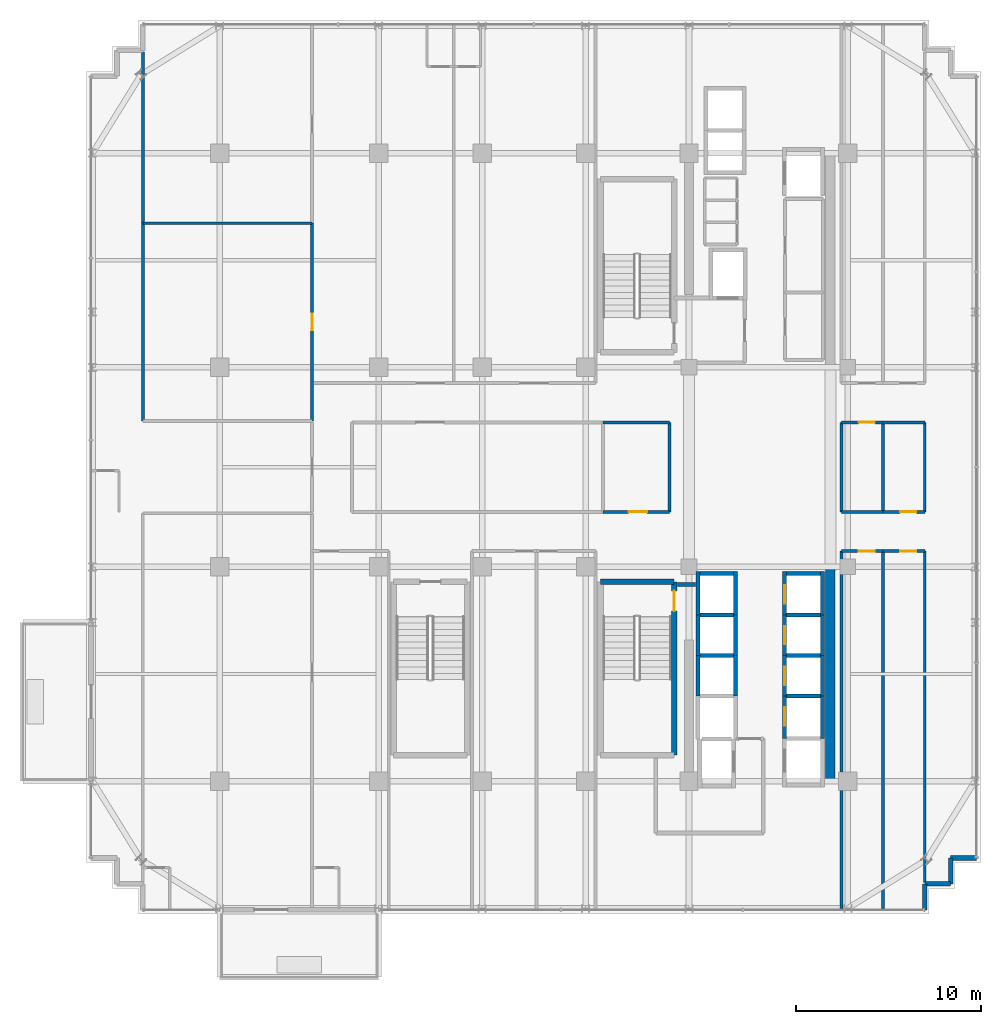
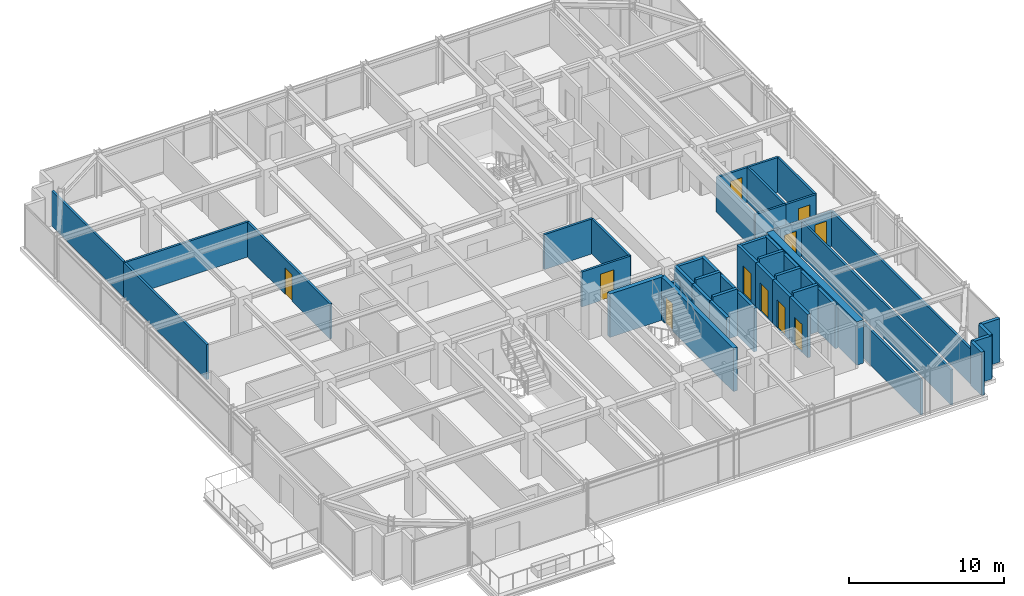
# One storey, part 30 of 35: 48 walls, 11 doors, 11 openings.
"""IFC4 building model written with IfcOpenShell, lengths in metres."""

import ifcopenshell
import ifcopenshell.guid

model = None  # the IFC model being written
_history = None  # IfcOwnerHistory: only IFC2X3 demands one
_inside = {}  # id of a spatial element -> (the spatial element, [elements in it])
_under = {}  # id of a project, library or spatial element -> (it, [spatial elements below it])
_declared = {}  # id of a project -> (the project, [libraries it declares])
_typed = {}  # id of a type object -> (the type object, [elements of that type])
_made_of = {}  # id of a material, layer set ... -> (it, [elements and type objects made of it])


def new_model(schema):
    """Start an empty IFC model of exactly this schema.

    Asked for "IFC4X3", IfcOpenShell would pick the latest addendum, in which some entities
    have other attributes; the version numbers below select the first issue.
    IFC2X3 requires an IfcOwnerHistory on every rooted entity: one is made here for all.
    """
    global model, _history
    if schema == "IFC4X3":
        model = ifcopenshell.file(schema_version=(4, 3, 0, 0))
    else:
        model = ifcopenshell.file(schema=schema)
    _inside.clear()
    _under.clear()
    _declared.clear()
    _typed.clear()
    _made_of.clear()
    _history = None
    if model.schema == "IFC2X3":
        org = make("IfcOrganization", Name="unknown")
        user = make(
            "IfcPersonAndOrganization",
            ThePerson=make("IfcPerson", FamilyName="unknown"),
            TheOrganization=org,
        )
        app = make(
            "IfcApplication",
            ApplicationDeveloper=org,
            Version="unknown",
            ApplicationFullName="unknown",
            ApplicationIdentifier="unknown",
        )
        _history = make(
            "IfcOwnerHistory",
            OwningUser=user,
            OwningApplication=app,
            ChangeAction="ADDED",
            CreationDate=0,
        )
    return model


def make(cls, **values):
    """One entity of the class cls with the attributes given. An attribute that is None is left unset."""
    return model.create_entity(
        cls, **{name: value for name, value in values.items() if value is not None}
    )


def rooted(cls, **values):
    """An entity with a GlobalId (a new one), such as an element, a storey or a relation."""
    return make(cls, GlobalId=ifcopenshell.guid.new(), OwnerHistory=_history, **values)


def si_unit(unit_type, name, prefix=None):
    """IfcSIUnit, for example si_unit("LENGTHUNIT", "METRE", prefix="MILLI")."""
    return make("IfcSIUnit", UnitType=unit_type, Prefix=prefix, Name=name)


def assignment(units):
    """IfcUnitAssignment: the units of a project."""
    return None if units is None else make("IfcUnitAssignment", Units=units)


def point(xyz):
    """IfcCartesianPoint."""
    return None if xyz is None else make("IfcCartesianPoint", Coordinates=xyz)


def direction(xyz):
    """IfcDirection."""
    return None if xyz is None else make("IfcDirection", DirectionRatios=xyz)


def frame(location, z_axis=None, x_axis=None):
    """IfcAxis2Placement3D, a coordinate frame: its origin and axes. An axis left out is left unset."""
    return make(
        "IfcAxis2Placement3D",
        Location=point(location),
        Axis=direction(z_axis),
        RefDirection=direction(x_axis),
    )


def frame_2d(location, x_axis=None):
    """IfcAxis2Placement2D, a coordinate frame in the plane: its origin and x axis."""
    return make(
        "IfcAxis2Placement2D", Location=point(location), RefDirection=direction(x_axis)
    )


def origin():
    """The frame at (0, 0, 0) with its axes left unset."""
    return frame((0.0, 0.0, 0.0))


def place(relative_to, where):
    """IfcLocalPlacement: puts the frame where relative to a parent placement (None: the world)."""
    return make(
        "IfcLocalPlacement", PlacementRelTo=relative_to, RelativePlacement=where
    )


def context(
    kind, dimensions, precision=None, world=None, true_north=None, identifier=None
):
    """IfcGeometricRepresentationContext, for example the 3D "Model" context."""
    return make(
        "IfcGeometricRepresentationContext",
        ContextIdentifier=identifier,
        ContextType=kind,
        CoordinateSpaceDimension=dimensions,
        Precision=precision,
        WorldCoordinateSystem=world,
        TrueNorth=true_north,
    )


def subcontext(parent, identifier, kind, view, scale=None):
    """IfcGeometricRepresentationSubContext, for example "Body" below "Model"."""
    return make(
        "IfcGeometricRepresentationSubContext",
        ContextIdentifier=identifier,
        ContextType=kind,
        ParentContext=parent,
        TargetScale=scale,
        TargetView=view,
    )


def project(units=None, contexts=None):
    """IfcProject with its units and contexts."""
    return rooted(
        "IfcProject",
        Name="project",
        RepresentationContexts=contexts,
        UnitsInContext=assignment(units),
    )


def spatial(cls, under=None, at=None, **own):
    """A site, building, storey or space (cls), placed at a placement, below another one or the project."""
    s = rooted(cls, ObjectPlacement=at, **own)
    if under is not None:
        _under.setdefault(under.id(), (under, []))[1].append(s)
    return s


def profile(cls, at=None, kind="AREA", **sizes):
    """A parametric profile (cls). Its sizes go by their IFC names, for example OverallWidth=200.0."""
    return make(cls, ProfileType=kind, Position=at, **sizes)


def rectangle(**sizes):
    """IfcRectangleProfileDef."""
    return profile("IfcRectangleProfileDef", **sizes)


def extrude(swept, where, along, depth):
    """IfcExtrudedAreaSolid: the profile swept, set in the frame where, extruded along a direction by depth."""
    return make(
        "IfcExtrudedAreaSolid",
        SweptArea=swept,
        Position=where,
        ExtrudedDirection=direction(along),
        Depth=depth,
    )


def shape(context_of_items, identifier, shape_type, items):
    """IfcShapeRepresentation: the items that make up one representation, for example the "Body"."""
    return make(
        "IfcShapeRepresentation",
        ContextOfItems=context_of_items,
        RepresentationIdentifier=identifier,
        RepresentationType=shape_type,
        Items=items,
    )


def source(mapping_origin, context_of_items, identifier, shape_type, items):
    """IfcRepresentationMap: a shape defined once, which mapped items show again and again."""
    return make(
        "IfcRepresentationMap",
        MappingOrigin=mapping_origin,
        MappedRepresentation=shape(context_of_items, identifier, shape_type, items),
    )


def transform(
    local_origin,
    x_axis=None,
    y_axis=None,
    z_axis=None,
    scale=None,
    scale2=None,
    scale3=None,
    uniform=True,
):
    """IfcCartesianTransformationOperator3D, or its non-uniform kind. x_axis, y_axis, z_axis: its Axis1, 2, 3."""
    if uniform:
        return make(
            "IfcCartesianTransformationOperator3D",
            Axis1=direction(x_axis),
            Axis2=direction(y_axis),
            LocalOrigin=point(local_origin),
            Scale=scale,
            Axis3=direction(z_axis),
        )
    return make(
        "IfcCartesianTransformationOperator3DnonUniform",
        Axis1=direction(x_axis),
        Axis2=direction(y_axis),
        LocalOrigin=point(local_origin),
        Scale=scale,
        Axis3=direction(z_axis),
        Scale2=scale2,
        Scale3=scale3,
    )


def mapped(mapping_source, mapping_target):
    """IfcMappedItem: shows the shape of a source again, moved by a transform."""
    return make(
        "IfcMappedItem", MappingSource=mapping_source, MappingTarget=mapping_target
    )


def material(Name=None, Category=None):
    """IfcMaterial."""
    return make("IfcMaterial", Name=Name, Category=Category)


def layer(
    of_material, thickness, ventilated=None, Name=None, Category=None, Priority=None
):
    """IfcMaterialLayer: one layer of a wall or slab, of a material (None: an air gap)."""
    return make(
        "IfcMaterialLayer",
        Material=of_material,
        LayerThickness=thickness,
        IsVentilated=ventilated,
        Name=Name,
        Category=Category,
        Priority=Priority,
    )


def layer_set(layers, Name=None):
    """IfcMaterialLayerSet."""
    return make("IfcMaterialLayerSet", MaterialLayers=layers, LayerSetName=Name)


def made_of(thing, what):
    """Note that an element or type object is made of a material, layer set ...; save() writes the relation."""
    if what is not None:
        _made_of.setdefault(what.id(), (what, []))[1].append(thing)
    return thing


def type_object(cls, material=None, **own):
    """A type object (cls), such as IfcWallType, which elements share."""
    return made_of(rooted(cls, **own), material)


def element(
    cls,
    number,
    at=None,
    inside=None,
    cuts=None,
    type_object=None,
    material=None,
    context=None,
    identifier="Body",
    shape_type=None,
    held_by="IfcProductDefinitionShape",
    body=None,
    shapes=None,
    **own,
):
    """One element of the class cls, such as IfcWall. Its Tag is "e" and its number.

    at: its placement. inside: the storey or other place that contains it. cuts: it is an
    opening in that element (IfcRelVoidsElement). A single representation is given by context,
    identifier, shape_type and body (its items); several are given by shapes. held_by: the class
    of the entity that holds the representations. save() writes the other relations.
    """
    e = rooted(cls, Tag="e%d" % number, ObjectPlacement=at, **own)
    if body is not None:
        shapes = [shape(context, identifier, shape_type, body)]
    if shapes is not None:
        e.Representation = make(held_by, Representations=shapes)
    if inside is not None:
        _inside.setdefault(inside.id(), (inside, []))[1].append(e)
    if cuts is not None:
        rooted(
            "IfcRelVoidsElement", RelatingBuildingElement=cuts, RelatedOpeningElement=e
        )
    if type_object is not None:
        _typed.setdefault(type_object.id(), (type_object, []))[1].append(e)
    return made_of(e, material)


def fill(opening, filler):
    """IfcRelFillsElement: the door or window that sits in an opening."""
    return rooted(
        "IfcRelFillsElement",
        RelatingOpeningElement=opening,
        RelatedBuildingElement=filler,
    )


def aggregate(whole, parts):
    """IfcRelAggregates: a whole, such as a stair, and the parts it consists of."""
    return rooted("IfcRelAggregates", RelatingObject=whole, RelatedObjects=parts)


def save(model, path):
    """Write the relations noted so far, then the file.

    IfcRelAggregates (storeys below a building ...), IfcRelContainedInSpatialStructure (elements
    in a storey), IfcRelDefinesByType, IfcRelAssociatesMaterial and IfcRelDeclares: one each for
    every whole, place, type object, material and project.
    """
    for whole, parts in _under.values():
        aggregate(whole, parts)
    for where, things in _inside.values():
        rooted(
            "IfcRelContainedInSpatialStructure",
            RelatedElements=things,
            RelatingStructure=where,
        )
    for kind, things in _typed.values():
        rooted("IfcRelDefinesByType", RelatedObjects=things, RelatingType=kind)
    for what, things in _made_of.values():
        rooted("IfcRelAssociatesMaterial", RelatedObjects=things, RelatingMaterial=what)
    for by, libraries in _declared.values():
        rooted("IfcRelDeclares", RelatingContext=by, RelatedDefinitions=libraries)
    model.write(path)


model = new_model("IFC4")

# Units and contexts
model_context = context("Model", 3, precision=1e-05, world=origin(), true_north=direction((0.0, 1.0)))
body_context = subcontext(model_context, "Body", "Model", "MODEL_VIEW")
ifc_project = project(units=[si_unit("LENGTHUNIT", "METRE"), si_unit("AREAUNIT", "SQUARE_METRE"), si_unit("VOLUMEUNIT", "CUBIC_METRE"), si_unit("PLANEANGLEUNIT", "RADIAN"), si_unit("MASSUNIT", "GRAM", prefix="KILO")], contexts=[model_context])

# Site, building, storey
site_placement = place(None, origin())
site = spatial("IfcSite", under=ifc_project, at=site_placement, CompositionType="ELEMENT")
building_placement = place(site_placement, origin())
building = spatial("IfcBuilding", under=site, at=building_placement, Name="Nahalor Promenade Grand Hotel", CompositionType="ELEMENT")
storey_placement = place(building_placement, frame((0.0, 0.0, 245.60009765625)))
storey = spatial("IfcBuildingStorey", under=building, at=storey_placement, Name="L63", CompositionType="ELEMENT", Elevation=245.60009765625)

# Walls
ifc_material_1 = material(Name="Concrete B-60 (C50/60)", Category="concrete")
ifc_layer_1 = layer(ifc_material_1, 0.5)
ifc_layer_set_1 = layer_set([ifc_layer_1], Name="Concrete B-60 (C50/60)")
wall_type_1 = type_object("IfcWallType", Name="Wall-CoreShear-500", PredefinedType="SHEAR", material=ifc_layer_set_1)
shared_shape_1 = source(origin(), body_context, "Body", "SweptSolid", [
    extrude(rectangle(XDim=11.60009765625, YDim=0.5, at=frame_2d((5.800048828125, 0.0))), origin(), (0.0, 0.0, 1.0), 3.409912109375),
])
wall_1_placement = place(storey_placement, frame((16.050048828125, -17.0, 0.0), z_axis=(0.0, 0.0, 1.0), x_axis=(0.0, 1.0, 0.0)))
element("IfcWall", 1, at=wall_1_placement, inside=storey, type_object=wall_type_1, Name="CWALL-L63-SE", PredefinedType="SHEAR", context=body_context, shape_type="MappedRepresentation", body=[
    mapped(shared_shape_1, transform((0.0, 0.0, 0.0), scale=1.0)),
])
ifc_material_2 = material(Name="Concrete B-50 (C40/50)", Category="concrete")
ifc_layer_2 = layer(ifc_material_2, 0.300048828125)
ifc_layer_set_2 = layer_set([ifc_layer_2], Name="Concrete B-50 (C40/50)")
wall_type_2 = type_object("IfcWallType", Name="Wall-ShaftShear-300", PredefinedType="SHEAR", material=ifc_layer_set_2)
shared_shape_2 = source(origin(), body_context, "Body", "SweptSolid", [
    extrude(rectangle(XDim=3.97998046875, YDim=0.300048828125, at=frame_2d((1.989990234375, 0.0))), origin(), (0.0, 0.0, 1.0), 3.409912109375),
])
wall_2_placement = place(storey_placement, frame((3.610107421875, -6.2099609375, 0.0), z_axis=(0.0, 0.0, 1.0), x_axis=(1.0, 0.0, 0.0)))
element("IfcWall", 2, at=wall_2_placement, inside=storey, type_object=wall_type_2, Name="L63 Exit Stair ST2 Shaft Wall N", PredefinedType="SHEAR", context=body_context, shape_type="MappedRepresentation", body=[
    mapped(shared_shape_2, transform((0.0, 0.0, 0.0), scale=1.0)),
])

# Wall, opening, door
shared_shape_3 = source(origin(), body_context, "Body", "SweptSolid", [
    extrude(rectangle(XDim=9.380126953125, YDim=0.300048828125, at=frame_2d((4.68994140625, 0.0))), origin(), (0.0, 0.0, 1.0), 3.409912109375),
])
wall_3_placement = place(storey_placement, frame((7.590087890625, -15.590087890625, 0.0), z_axis=(0.0, 0.0, 1.0), x_axis=(0.0, 1.0, 0.0)))
wall_3 = element("IfcWall", 3, at=wall_3_placement, inside=storey, type_object=wall_type_2, Name="L63 Exit Stair ST2 Shaft Wall E", PredefinedType="SHEAR", context=body_context, shape_type="MappedRepresentation", body=[
    mapped(shared_shape_3, transform((0.0, 0.0, 0.0), scale=1.0)),
])
opening_1_placement = place(wall_3_placement, frame((7.7900390625, 0.0, 0.0)))
opening_1 = element("IfcOpeningElement", 4, at=opening_1_placement, cuts=wall_3, Name="Opening D-ST1", PredefinedType="OPENING", context=body_context, shape_type="SweptSolid", body=[
    extrude(rectangle(XDim=1.10009765625, YDim=2.14990234375, at=frame_2d((0.550048828125, 1.074951171875))), frame((0.0, 0.159912109375, 0.0), z_axis=(0.0, -1.0, 0.0), x_axis=(1.0, 0.0, 0.0)), (0.0, 0.0, 1.0), 0.320068359375),
])
ifc_material_3 = material(Name="Steel S355JR", Category="steel")
door_type_1 = type_object("IfcDoorType", Name="Door-StairFire-1100", OperationType="NOTDEFINED", PredefinedType="DOOR", material=ifc_material_3)
shared_shape_4 = source(origin(), body_context, "Body", "SweptSolid", [
    extrude(rectangle(XDim=1.10009765625, YDim=2.14990234375, at=frame_2d((0.550048828125, 1.074951171875))), frame((0.0, 0.02490234375, 0.0), z_axis=(0.0, -1.0, 0.0), x_axis=(1.0, 0.0, 0.0)), (0.0, 0.0, 1.0), 0.050048828125),
])
door_1_placement = place(opening_1_placement, origin())
door_1 = element("IfcDoor", 5, at=door_1_placement, inside=storey, type_object=door_type_1, Name="DR-STAIR-ST2-L63", OperationType="SINGLE_SWING_RIGHT", OverallHeight=2.14990234375, OverallWidth=1.10009765625, PredefinedType="DOOR", context=body_context, shape_type="MappedRepresentation", body=[
    mapped(shared_shape_4, transform((0.0, 0.0, 0.0), scale=1.0)),
])
fill(opening_1, door_1)

ifc_layer_3 = layer(ifc_material_2, 0.219970703125)
ifc_layer_set_3 = layer_set([ifc_layer_3], Name="Concrete B-50 (C40/50)")
wall_type_3 = type_object("IfcWallType", Name="Wall-LiftShaft-220", PredefinedType="SHEAR", material=ifc_layer_set_3)
shared_shape_5 = source(origin(), body_context, "Body", "SweptSolid", [
    extrude(rectangle(XDim=2.360107421875, YDim=0.219970703125, at=frame_2d((1.18017578125, 0.0))), origin(), (0.0, 0.0, 1.0), 3.409912109375),
])
wall_4_placement = place(storey_placement, frame((13.580078125, -8.0, 0.0), z_axis=(0.0, 0.0, 1.0), x_axis=(0.0, 1.0, 0.0)))
wall_4 = element("IfcWall", 6, at=wall_4_placement, inside=storey, type_object=wall_type_3, Name="L63 Lift PL5 Hoistway Wall W", PredefinedType="SHEAR", context=body_context, shape_type="MappedRepresentation", body=[
    mapped(shared_shape_5, transform((0.0, 0.0, 0.0), scale=1.0)),
])
opening_2_placement = place(wall_4_placement, frame((0.60009765625, 0.0, 0.0)))
opening_2 = element("IfcOpeningElement", 7, at=opening_2_placement, cuts=wall_4, Name="Opening LD-01", PredefinedType="OPENING", context=body_context, shape_type="SweptSolid", body=[
    extrude(rectangle(XDim=1.0, YDim=2.199951171875, at=frame_2d((0.5, 1.10009765625))), frame((0.0, 0.119873046875, 0.0), z_axis=(0.0, -1.0, 0.0), x_axis=(1.0, 0.0, 0.0)), (0.0, 0.0, 1.0), 0.239990234375),
])
door_type_2 = type_object("IfcDoorType", Name="Door-LiftLanding-1000", OperationType="DOUBLE_DOOR_SLIDING", PredefinedType="DOOR", material=ifc_material_3)
shared_shape_6 = source(origin(), body_context, "Body", "SweptSolid", [
    extrude(rectangle(XDim=1.0, YDim=2.199951171875, at=frame_2d((0.5, 1.10009765625))), frame((0.0, 0.02490234375, 0.0), z_axis=(0.0, -1.0, 0.0), x_axis=(1.0, 0.0, 0.0)), (0.0, 0.0, 1.0), 0.050048828125),
])
door_2_placement = place(opening_2_placement, origin())
door_2 = element("IfcDoor", 8, at=door_2_placement, inside=storey, type_object=door_type_2, Name="DR-LIFT-PL5-L63", OperationType="DOUBLE_DOOR_SLIDING", OverallHeight=2.199951171875, OverallWidth=1.0, PredefinedType="DOOR", context=body_context, shape_type="MappedRepresentation", body=[
    mapped(shared_shape_6, transform((0.0, 0.0, 0.0), scale=1.0)),
])
fill(opening_2, door_2)

# Walls
for number, where, z_axis, x_axis, name in (
    (9, (15.6201171875, -8.0, 0.0), (0.0, 0.0, 1.0), (0.0, 1.0, 0.0), "L63 Lift PL5 Hoistway Wall E"),
    (10, (8.8798828125, -8.0, 0.0), (0.0, 0.0, 1.0), (0.0, 1.0, 0.0), "L63 Lift PL9 Hoistway Wall W"),
    (11, (10.919921875, -8.0, 0.0), (0.0, 0.0, 1.0), (0.0, 1.0, 0.0), "L63 Lift PL9 Hoistway Wall E"),
):
    element("IfcWall", number, at=place(storey_placement, frame(where, z_axis=z_axis, x_axis=x_axis)), inside=storey, type_object=wall_type_3, Name=name, PredefinedType="SHEAR", context=body_context, shape_type="MappedRepresentation", body=[
        mapped(shared_shape_5, transform((0.0, 0.0, 0.0), scale=1.0)),
    ])
shared_shape_7 = source(origin(), body_context, "Body", "SweptSolid", [
    extrude(rectangle(XDim=1.820068359375, YDim=0.219970703125, at=frame_2d((0.91015625, 0.0))), origin(), (0.0, 0.0, 1.0), 3.409912109375),
])
for number, where, z_axis, x_axis, name in (
    (12, (13.68994140625, -5.75, 0.0), (0.0, 0.0, 1.0), (1.0, 0.0, 0.0), "L63 Lift PL5 Hoistway Wall N"),
    (13, (8.989990234375, -5.75, 0.0), (0.0, 0.0, 1.0), (1.0, 0.0, 0.0), "L63 Lift PL9 Hoistway Wall N"),
):
    element("IfcWall", number, at=place(storey_placement, frame(where, z_axis=z_axis, x_axis=x_axis)), inside=storey, type_object=wall_type_3, Name=name, PredefinedType="SHEAR", context=body_context, shape_type="MappedRepresentation", body=[
        mapped(shared_shape_7, transform((0.0, 0.0, 0.0), scale=1.0)),
    ])

# Wall, opening, door
shared_shape_8 = source(origin(), body_context, "Body", "SweptSolid", [
    extrude(rectangle(XDim=2.199951171875, YDim=0.219970703125, at=frame_2d((1.10009765625, 0.0))), origin(), (0.0, 0.0, 1.0), 3.409912109375),
])
wall_5_placement = place(storey_placement, frame((13.580078125, -10.199951171875, 0.0), z_axis=(0.0, 0.0, 1.0), x_axis=(0.0, 1.0, 0.0)))
wall_5 = element("IfcWall", 14, at=wall_5_placement, inside=storey, type_object=wall_type_3, Name="L63 Lift PL6 Hoistway Wall W", PredefinedType="SHEAR", context=body_context, shape_type="MappedRepresentation", body=[
    mapped(shared_shape_8, transform((0.0, 0.0, 0.0), scale=1.0)),
])
opening_3_placement = place(wall_5_placement, frame((0.60009765625, 0.0, 0.0)))
opening_3 = element("IfcOpeningElement", 15, at=opening_3_placement, cuts=wall_5, Name="Opening LD-01", PredefinedType="OPENING", context=body_context, shape_type="SweptSolid", body=[
    extrude(rectangle(XDim=1.0, YDim=2.199951171875, at=frame_2d((0.5, 1.10009765625))), frame((0.0, 0.119873046875, 0.0), z_axis=(0.0, -1.0, 0.0), x_axis=(1.0, 0.0, 0.0)), (0.0, 0.0, 1.0), 0.239990234375),
])
door_3_placement = place(opening_3_placement, origin())
door_3 = element("IfcDoor", 16, at=door_3_placement, inside=storey, type_object=door_type_2, Name="DR-LIFT-PL6-L63", OperationType="DOUBLE_DOOR_SLIDING", OverallHeight=2.199951171875, OverallWidth=1.0, PredefinedType="DOOR", context=body_context, shape_type="MappedRepresentation", body=[
    mapped(shared_shape_6, transform((0.0, 0.0, 0.0), scale=1.0)),
])
fill(opening_3, door_3)

# Wall
wall_6_placement = place(storey_placement, frame((15.6201171875, -10.199951171875, 0.0), z_axis=(0.0, 0.0, 1.0), x_axis=(0.0, 1.0, 0.0)))
element("IfcWall", 17, at=wall_6_placement, inside=storey, type_object=wall_type_3, Name="L63 Lift PL6 Hoistway Wall E", PredefinedType="SHEAR", context=body_context, shape_type="MappedRepresentation", body=[
    mapped(shared_shape_8, transform((0.0, 0.0, 0.0), scale=1.0)),
])

# Wall, opening, door
wall_7_placement = place(storey_placement, frame((13.580078125, -12.39990234375, 0.0), z_axis=(0.0, 0.0, 1.0), x_axis=(0.0, 1.0, 0.0)))
wall_7 = element("IfcWall", 18, at=wall_7_placement, inside=storey, type_object=wall_type_3, Name="L63 Lift PL7 Hoistway Wall W", PredefinedType="SHEAR", context=body_context, shape_type="MappedRepresentation", body=[
    mapped(shared_shape_8, transform((0.0, 0.0, 0.0), scale=1.0)),
])
opening_4_placement = place(wall_7_placement, frame((0.60009765625, 0.0, 0.0)))
opening_4 = element("IfcOpeningElement", 19, at=opening_4_placement, cuts=wall_7, Name="Opening LD-01", PredefinedType="OPENING", context=body_context, shape_type="SweptSolid", body=[
    extrude(rectangle(XDim=1.0, YDim=2.199951171875, at=frame_2d((0.5, 1.10009765625))), frame((0.0, 0.119873046875, 0.0), z_axis=(0.0, -1.0, 0.0), x_axis=(1.0, 0.0, 0.0)), (0.0, 0.0, 1.0), 0.239990234375),
])
door_4_placement = place(opening_4_placement, origin())
door_4 = element("IfcDoor", 20, at=door_4_placement, inside=storey, type_object=door_type_2, Name="DR-LIFT-PL7-L63", OperationType="DOUBLE_DOOR_SLIDING", OverallHeight=2.199951171875, OverallWidth=1.0, PredefinedType="DOOR", context=body_context, shape_type="MappedRepresentation", body=[
    mapped(shared_shape_6, transform((0.0, 0.0, 0.0), scale=1.0)),
])
fill(opening_4, door_4)

# Walls
for number, where, z_axis, x_axis, name in (
    (21, (15.6201171875, -12.39990234375, 0.0), (0.0, 0.0, 1.0), (0.0, 1.0, 0.0), "L63 Lift PL7 Hoistway Wall E"),
    (22, (8.8798828125, -10.199951171875, 0.0), (0.0, 0.0, 1.0), (0.0, 1.0, 0.0), "L63 Lift PL10 Hoistway Wall W"),
    (23, (10.919921875, -10.199951171875, 0.0), (0.0, 0.0, 1.0), (0.0, 1.0, 0.0), "L63 Lift PL10 Hoistway Wall E"),
    (24, (8.8798828125, -12.39990234375, 0.0), (0.0, 0.0, 1.0), (0.0, 1.0, 0.0), "L63 Lift PL11 Hoistway Wall W"),
    (25, (10.919921875, -12.39990234375, 0.0), (0.0, 0.0, 1.0), (0.0, 1.0, 0.0), "L63 Lift PL11 Hoistway Wall E"),
):
    element("IfcWall", number, at=place(storey_placement, frame(where, z_axis=z_axis, x_axis=x_axis)), inside=storey, type_object=wall_type_3, Name=name, PredefinedType="SHEAR", context=body_context, shape_type="MappedRepresentation", body=[
        mapped(shared_shape_8, transform((0.0, 0.0, 0.0), scale=1.0)),
    ])
shared_shape_9 = source(origin(), body_context, "Body", "SweptSolid", [
    extrude(rectangle(XDim=1.820068359375, YDim=0.219970703125, at=frame_2d((0.91015625, 0.0))), origin(), (0.0, 0.0, 1.0), 3.699951171875),
])
for number, where, z_axis, x_axis, name in (
    (26, (13.68994140625, -8.0, 0.0), (0.0, 0.0, 1.0), (1.0, 0.0, 0.0), "L63 Lift PL6 Hoistway Wall N"),
    (27, (13.68994140625, -10.199951171875, 0.0), (0.0, 0.0, 1.0), (1.0, 0.0, 0.0), "L63 Lift PL7 Hoistway Wall N"),
    (28, (13.68994140625, -12.39990234375, 0.0), (0.0, 0.0, 1.0), (1.0, 0.0, 0.0), "L63 Lift PL8 Hoistway Wall N"),
    (29, (8.989990234375, -8.0, 0.0), (0.0, 0.0, 1.0), (1.0, 0.0, 0.0), "L63 Lift PL10 Hoistway Wall N"),
    (30, (8.989990234375, -10.199951171875, 0.0), (0.0, 0.0, 1.0), (1.0, 0.0, 0.0), "L63 Lift PL11 Hoistway Wall N"),
):
    element("IfcWall", number, at=place(storey_placement, frame(where, z_axis=z_axis, x_axis=x_axis)), inside=storey, type_object=wall_type_3, Name=name, PredefinedType="SHEAR", context=body_context, shape_type="MappedRepresentation", body=[
        mapped(shared_shape_9, transform((0.0, 0.0, 0.0), scale=1.0)),
    ])

# Wall, opening, door
shared_shape_10 = source(origin(), body_context, "Body", "SweptSolid", [
    extrude(rectangle(XDim=2.300048828125, YDim=0.219970703125, at=frame_2d((1.14990234375, 0.0))), origin(), (0.0, 0.0, 1.0), 3.409912109375),
])
wall_8_placement = place(storey_placement, frame((13.580078125, -14.699951171875, 0.0), z_axis=(0.0, 0.0, 1.0), x_axis=(0.0, 1.0, 0.0)))
wall_8 = element("IfcWall", 31, at=wall_8_placement, inside=storey, type_object=wall_type_3, Name="L63 Lift PL8 Hoistway Wall W", PredefinedType="SHEAR", context=body_context, shape_type="MappedRepresentation", body=[
    mapped(shared_shape_10, transform((0.0, 0.0, 0.0), scale=1.0)),
])
opening_5_placement = place(wall_8_placement, frame((0.699951171875, 0.0, 0.0)))
opening_5 = element("IfcOpeningElement", 32, at=opening_5_placement, cuts=wall_8, Name="Opening LD-01", PredefinedType="OPENING", context=body_context, shape_type="SweptSolid", body=[
    extrude(rectangle(XDim=1.0, YDim=2.199951171875, at=frame_2d((0.5, 1.10009765625))), frame((0.0, 0.119873046875, 0.0), z_axis=(0.0, -1.0, 0.0), x_axis=(1.0, 0.0, 0.0)), (0.0, 0.0, 1.0), 0.239990234375),
])
door_5_placement = place(opening_5_placement, origin())
door_5 = element("IfcDoor", 33, at=door_5_placement, inside=storey, type_object=door_type_2, Name="DR-LIFT-PL8-L63", OperationType="DOUBLE_DOOR_SLIDING", OverallHeight=2.199951171875, OverallWidth=1.0, PredefinedType="DOOR", context=body_context, shape_type="MappedRepresentation", body=[
    mapped(shared_shape_6, transform((0.0, 0.0, 0.0), scale=1.0)),
])
fill(opening_5, door_5)

# Walls
wall_9_placement = place(storey_placement, frame((15.6201171875, -14.699951171875, 0.0), z_axis=(0.0, 0.0, 1.0), x_axis=(0.0, 1.0, 0.0)))
element("IfcWall", 34, at=wall_9_placement, inside=storey, type_object=wall_type_3, Name="L63 Lift PL8 Hoistway Wall E", PredefinedType="SHEAR", context=body_context, shape_type="MappedRepresentation", body=[
    mapped(shared_shape_10, transform((0.0, 0.0, 0.0), scale=1.0)),
])
ifc_material_4 = material(Name="Concrete B-40 (C32/40)", Category="concrete")
ifc_layer_4 = layer(ifc_material_4, 0.25)
ifc_layer_set_4 = layer_set([ifc_layer_4], Name="Concrete B-40 (C32/40)")
wall_type_4 = type_object("IfcWallType", Name="Wall-BronzePier-250", PredefinedType="STANDARD", material=ifc_layer_set_4)
shared_shape_11 = source(origin(), body_context, "Body", "SweptSolid", [
    extrude(rectangle(XDim=1.39990234375, YDim=0.25, at=frame_2d((0.699951171875, 0.0))), origin(), (0.0, 0.0, 1.0), 3.409912109375),
])
for number, where, z_axis, x_axis, name in (
    (35, (21.159912109375, -23.9599609375, 0.0), (0.0, 0.0, 1.0), (0.0, 1.0, 0.0), "W-L63-SR-01"),
    (36, (22.56005859375, -21.159912109375, 0.0), (0.0, 0.0, 1.0), (1.0, 0.0, 0.0), "W-L63-SR-04"),
):
    element("IfcWall", number, at=place(storey_placement, frame(where, z_axis=z_axis, x_axis=x_axis)), inside=storey, type_object=wall_type_4, Name=name, PredefinedType="STANDARD", context=body_context, shape_type="MappedRepresentation", body=[
        mapped(shared_shape_11, transform((0.0, 0.0, 0.0), scale=1.0)),
    ])
shared_shape_12 = source(origin(), body_context, "Body", "SweptSolid", [
    extrude(rectangle(XDim=1.400146484375, YDim=0.25, at=frame_2d((0.7001953125, 0.0))), origin(), (0.0, 0.0, 1.0), 3.409912109375),
])
for number, where, z_axis, x_axis, name in (
    (37, (21.159912109375, -22.56005859375, 0.0), (0.0, 0.0, 1.0), (1.0, 0.0, 0.0), "W-L63-SR-02"),
    (38, (22.56005859375, -22.56005859375, 0.0), (0.0, 0.0, 1.0), (0.0, 1.0, 0.0), "W-L63-SR-03"),
):
    element("IfcWall", number, at=place(storey_placement, frame(where, z_axis=z_axis, x_axis=x_axis)), inside=storey, type_object=wall_type_4, Name=name, PredefinedType="STANDARD", context=body_context, shape_type="MappedRepresentation", body=[
        mapped(shared_shape_12, transform((0.0, 0.0, 0.0), scale=1.0)),
    ])
ifc_layer_5 = layer(ifc_material_4, 0.199951171875)
ifc_layer_set_5 = layer_set([ifc_layer_5], Name="Concrete B-40 (C32/40)")
wall_type_5 = type_object("IfcWallType", Name="Wall-PartFire-200", PredefinedType="PARTITIONING", material=ifc_layer_set_5)
shared_shape_13 = source(origin(), body_context, "Body", "SweptSolid", [
    extrude(rectangle(XDim=0.969970703125, YDim=0.199951171875, at=frame_2d((0.48486328125, 0.0))), origin(), (0.0, 0.0, 1.0), 2.75),
])
wall_10_placement = place(storey_placement, frame((7.77001953125, -6.35009765625, 0.0), z_axis=(0.0, 0.0, 1.0), x_axis=(1.0, 0.0, 0.0)))
element("IfcWall", 39, at=wall_10_placement, inside=storey, type_object=wall_type_5, Name="W-L63-FF2-N2", PredefinedType="PARTITIONING", context=body_context, shape_type="MappedRepresentation", body=[
    mapped(shared_shape_13, transform((0.0, 0.0, 0.0), scale=1.0)),
])

# Wall, opening, door
ifc_material_5 = material(Name="Acoustic Mineral Gypsum", Category="gypsum")
ifc_layer_6 = layer(ifc_material_5, 0.159912109375)
ifc_layer_set_6 = layer_set([ifc_layer_6], Name="Acoustic Mineral Gypsum")
wall_type_6 = type_object("IfcWallType", Name="Wall-PartCorridor-160", PredefinedType="PARTITIONING", material=ifc_layer_set_6)
shared_shape_14 = source(origin(), body_context, "Body", "SweptSolid", [
    extrude(rectangle(XDim=2.255126953125, YDim=0.159912109375, at=frame_2d((1.12744140625, 0.0))), origin(), (0.0, 0.0, 1.0), 2.75),
])
wall_11_placement = place(storey_placement, frame((16.64990234375, -4.550048828125, 0.0), z_axis=(0.0, 0.0, 1.0), x_axis=(1.0, 0.0, 0.0)))
wall_11 = element("IfcWall", 40, at=wall_11_placement, inside=storey, type_object=wall_type_6, Name="W-L63-ESE1-N", PredefinedType="PARTITIONING", context=body_context, shape_type="MappedRepresentation", body=[
    mapped(shared_shape_14, transform((0.0, 0.0, 0.0), scale=1.0)),
])
opening_6_placement = place(wall_11_placement, frame((0.924072265625, 0.0, 0.0)))
opening_6 = element("IfcOpeningElement", 41, at=opening_6_placement, cuts=wall_11, Name="Opening D-03", PredefinedType="OPENING", context=body_context, shape_type="SweptSolid", body=[
    extrude(rectangle(XDim=0.8798828125, YDim=2.10009765625, at=frame_2d((0.43994140625, 1.050048828125))), frame((0.0, 0.08984375, 0.0), z_axis=(0.0, -1.0, 0.0), x_axis=(1.0, 0.0, 0.0)), (0.0, 0.0, 1.0), 0.179931640625),
])
ifc_material_6 = material(Name="Fire-Rated Timber Composite", Category="wood")
door_type_3 = type_object("IfcDoorType", Name="Door-BathSwing-880", OperationType="NOTDEFINED", PredefinedType="DOOR", material=ifc_material_6)
shared_shape_15 = source(origin(), body_context, "Body", "SweptSolid", [
    extrude(rectangle(XDim=0.8798828125, YDim=2.10009765625, at=frame_2d((0.43994140625, 1.050048828125))), frame((0.0, 0.02490234375, 0.0), z_axis=(0.0, -1.0, 0.0), x_axis=(1.0, 0.0, 0.0)), (0.0, 0.0, 1.0), 0.050048828125),
])
door_6_placement = place(opening_6_placement, frame((0.8798828125, 0.0, 0.0), z_axis=(0.0, 0.0, 1.0), x_axis=(-1.0, 0.0, 0.0)))
door_6 = element("IfcDoor", 42, at=door_6_placement, inside=storey, type_object=door_type_3, Name="DR-L63-ESE1", OperationType="SINGLE_SWING_RIGHT", OverallHeight=2.10009765625, OverallWidth=0.8798828125, PredefinedType="DOOR", context=body_context, shape_type="MappedRepresentation", body=[
    mapped(shared_shape_15, transform((0.0, 0.0, 0.0), scale=1.0)),
])
fill(opening_6, door_6)

# Wall
wall_12_placement = place(storey_placement, frame((16.64990234375, -2.419921875, 0.0), z_axis=(0.0, 0.0, 1.0), x_axis=(1.0, 0.0, 0.0)))
element("IfcWall", 43, at=wall_12_placement, inside=storey, type_object=wall_type_6, Name="W-L63-ECW1-S", PredefinedType="PARTITIONING", context=body_context, shape_type="MappedRepresentation", body=[
    mapped(shared_shape_14, transform((0.0, 0.0, 0.0), scale=1.0)),
])

# Wall, opening, door
wall_13_placement = place(storey_placement, frame((16.64990234375, 2.419921875, 0.0), z_axis=(0.0, 0.0, 1.0), x_axis=(1.0, 0.0, 0.0)))
wall_13 = element("IfcWall", 44, at=wall_13_placement, inside=storey, type_object=wall_type_6, Name="W-L63-ECW1-N", PredefinedType="PARTITIONING", context=body_context, shape_type="MappedRepresentation", body=[
    mapped(shared_shape_14, transform((0.0, 0.0, 0.0), scale=1.0)),
])
opening_7_placement = place(wall_13_placement, frame((0.924072265625, 0.0, 0.0)))
opening_7 = element("IfcOpeningElement", 45, at=opening_7_placement, cuts=wall_13, Name="Opening D-03", PredefinedType="OPENING", context=body_context, shape_type="SweptSolid", body=[
    extrude(rectangle(XDim=0.8798828125, YDim=2.10009765625, at=frame_2d((0.43994140625, 1.050048828125))), frame((0.0, 0.08984375, 0.0), z_axis=(0.0, -1.0, 0.0), x_axis=(1.0, 0.0, 0.0)), (0.0, 0.0, 1.0), 0.179931640625),
])
door_7_placement = place(opening_7_placement, frame((0.8798828125, 0.0, 0.0), z_axis=(0.0, 0.0, 1.0), x_axis=(-1.0, 0.0, 0.0)))
door_7 = element("IfcDoor", 46, at=door_7_placement, inside=storey, type_object=door_type_3, Name="DR-L63-ECW1", OperationType="SINGLE_SWING_LEFT", OverallHeight=2.10009765625, OverallWidth=0.8798828125, PredefinedType="DOOR", context=body_context, shape_type="MappedRepresentation", body=[
    mapped(shared_shape_15, transform((0.0, 0.0, 0.0), scale=1.0)),
])
fill(opening_7, door_7)

# Walls
shared_shape_16 = source(origin(), body_context, "Body", "SweptSolid", [
    extrude(rectangle(XDim=19.349853515625, YDim=0.159912109375, at=frame_2d((9.6748046875, 0.0))), origin(), (0.0, 0.0, 1.0), 2.75),
])
for number, where, z_axis, x_axis, name in (
    (47, (16.64990234375, -23.89990234375, 0.0), (0.0, 0.0, 1.0), (0.0, 1.0, 0.0), "W-L63-ESE1-W"),
    (48, (18.905029296875, -23.89990234375, 0.0), (0.0, 0.0, 1.0), (0.0, 1.0, 0.0), "W-L63-ESE1-E"),
):
    element("IfcWall", number, at=place(storey_placement, frame(where, z_axis=z_axis, x_axis=x_axis)), inside=storey, type_object=wall_type_6, Name=name, PredefinedType="PARTITIONING", context=body_context, shape_type="MappedRepresentation", body=[
        mapped(shared_shape_16, transform((0.0, 0.0, 0.0), scale=1.0)),
    ])

# Wall, opening, door
shared_shape_17 = source(origin(), body_context, "Body", "SweptSolid", [
    extrude(rectangle(XDim=2.2548828125, YDim=0.159912109375, at=frame_2d((1.12744140625, 0.0))), origin(), (0.0, 0.0, 1.0), 2.75),
])
wall_14_placement = place(storey_placement, frame((18.905029296875, -4.550048828125, 0.0), z_axis=(0.0, 0.0, 1.0), x_axis=(1.0, 0.0, 0.0)))
wall_14 = element("IfcWall", 49, at=wall_14_placement, inside=storey, type_object=wall_type_6, Name="W-L63-ESE2-N", PredefinedType="PARTITIONING", context=body_context, shape_type="MappedRepresentation", body=[
    mapped(shared_shape_17, transform((0.0, 0.0, 0.0), scale=1.0)),
])
opening_8_placement = place(wall_14_placement, frame((0.924072265625, 0.0, 0.0)))
opening_8 = element("IfcOpeningElement", 50, at=opening_8_placement, cuts=wall_14, Name="Opening D-03", PredefinedType="OPENING", context=body_context, shape_type="SweptSolid", body=[
    extrude(rectangle(XDim=0.8798828125, YDim=2.10009765625, at=frame_2d((0.43994140625, 1.050048828125))), frame((0.0, 0.08984375, 0.0), z_axis=(0.0, -1.0, 0.0), x_axis=(1.0, 0.0, 0.0)), (0.0, 0.0, 1.0), 0.179931640625),
])
door_8_placement = place(opening_8_placement, frame((0.8798828125, 0.0, 0.0), z_axis=(0.0, 0.0, 1.0), x_axis=(-1.0, 0.0, 0.0)))
door_8 = element("IfcDoor", 51, at=door_8_placement, inside=storey, type_object=door_type_3, Name="DR-L63-ESE2", OperationType="SINGLE_SWING_LEFT", OverallHeight=2.10009765625, OverallWidth=0.8798828125, PredefinedType="DOOR", context=body_context, shape_type="MappedRepresentation", body=[
    mapped(shared_shape_15, transform((0.0, 0.0, 0.0), scale=1.0)),
])
fill(opening_8, door_8)

wall_15_placement = place(storey_placement, frame((18.905029296875, -2.419921875, 0.0), z_axis=(0.0, 0.0, 1.0), x_axis=(1.0, 0.0, 0.0)))
wall_15 = element("IfcWall", 52, at=wall_15_placement, inside=storey, type_object=wall_type_6, Name="W-L63-ECW2-S", PredefinedType="PARTITIONING", context=body_context, shape_type="MappedRepresentation", body=[
    mapped(shared_shape_17, transform((0.0, 0.0, 0.0), scale=1.0)),
])
opening_9_placement = place(wall_15_placement, frame((0.924072265625, 0.0, 0.0)))
opening_9 = element("IfcOpeningElement", 53, at=opening_9_placement, cuts=wall_15, Name="Opening D-03", PredefinedType="OPENING", context=body_context, shape_type="SweptSolid", body=[
    extrude(rectangle(XDim=0.8798828125, YDim=2.10009765625, at=frame_2d((0.43994140625, 1.050048828125))), frame((0.0, 0.08984375, 0.0), z_axis=(0.0, -1.0, 0.0), x_axis=(1.0, 0.0, 0.0)), (0.0, 0.0, 1.0), 0.179931640625),
])
door_9_placement = place(opening_9_placement, origin())
door_9 = element("IfcDoor", 54, at=door_9_placement, inside=storey, type_object=door_type_3, Name="DR-L63-ECW2", OperationType="SINGLE_SWING_RIGHT", OverallHeight=2.10009765625, OverallWidth=0.8798828125, PredefinedType="DOOR", context=body_context, shape_type="MappedRepresentation", body=[
    mapped(shared_shape_15, transform((0.0, 0.0, 0.0), scale=1.0)),
])
fill(opening_9, door_9)

# Walls
wall_16_placement = place(storey_placement, frame((18.905029296875, 2.419921875, 0.0), z_axis=(0.0, 0.0, 1.0), x_axis=(1.0, 0.0, 0.0)))
element("IfcWall", 55, at=wall_16_placement, inside=storey, type_object=wall_type_6, Name="W-L63-ECW2-N", PredefinedType="PARTITIONING", context=body_context, shape_type="MappedRepresentation", body=[
    mapped(shared_shape_17, transform((0.0, 0.0, 0.0), scale=1.0)),
])
shared_shape_18 = source(origin(), body_context, "Body", "SweptSolid", [
    extrude(rectangle(XDim=17.929931640625, YDim=0.159912109375, at=frame_2d((8.96484375, 0.0))), origin(), (0.0, 0.0, 1.0), 2.75),
])
wall_17_placement = place(storey_placement, frame((21.159912109375, -22.47998046875, 0.0), z_axis=(0.0, 0.0, 1.0), x_axis=(0.0, 1.0, 0.0)))
element("IfcWall", 56, at=wall_17_placement, inside=storey, type_object=wall_type_6, Name="W-L63-ESE2-E", PredefinedType="PARTITIONING", context=body_context, shape_type="MappedRepresentation", body=[
    mapped(shared_shape_18, transform((0.0, 0.0, 0.0), scale=1.0)),
])
shared_shape_19 = source(origin(), body_context, "Body", "SweptSolid", [
    extrude(rectangle(XDim=4.83984375, YDim=0.159912109375, at=frame_2d((2.419921875, 0.0))), origin(), (0.0, 0.0, 1.0), 2.75),
])
for number, where, z_axis, x_axis, name in (
    (57, (7.35009765625, -2.419921875, 0.0), (0.0, 0.0, 1.0), (0.0, 1.0, 0.0), "W-L63-CM2-E"),
    (58, (16.64990234375, -2.419921875, 0.0), (0.0, 0.0, 1.0), (0.0, 1.0, 0.0), "W-L63-ECW1-W"),
    (59, (18.905029296875, -2.419921875, 0.0), (0.0, 0.0, 1.0), (0.0, 1.0, 0.0), "W-L63-ECW1-E"),
    (60, (21.159912109375, -2.419921875, 0.0), (0.0, 0.0, 1.0), (0.0, 1.0, 0.0), "W-L63-ECW2-E"),
):
    element("IfcWall", number, at=place(storey_placement, frame(where, z_axis=z_axis, x_axis=x_axis)), inside=storey, type_object=wall_type_6, Name=name, PredefinedType="PARTITIONING", context=body_context, shape_type="MappedRepresentation", body=[
        mapped(shared_shape_19, transform((0.0, 0.0, 0.0), scale=1.0)),
    ])
shared_shape_20 = source(origin(), body_context, "Body", "SweptSolid", [
    extrude(rectangle(XDim=10.699951171875, YDim=0.159912109375, at=frame_2d((5.35009765625, 0.0))), origin(), (0.0, 0.0, 1.0), 2.75),
])
wall_18_placement = place(storey_placement, frame((-21.159912109375, 2.5, 0.0), z_axis=(0.0, 0.0, 1.0), x_axis=(0.0, 1.0, 0.0)))
element("IfcWall", 61, at=wall_18_placement, inside=storey, type_object=wall_type_6, Name="W-L63-NW0A-W", PredefinedType="PARTITIONING", context=body_context, shape_type="MappedRepresentation", body=[
    mapped(shared_shape_20, transform((0.0, 0.0, 0.0), scale=1.0)),
])

# Wall, opening, door
wall_19_placement = place(storey_placement, frame((-12.0, 2.5, 0.0), z_axis=(0.0, 0.0, 1.0), x_axis=(0.0, 1.0, 0.0)))
wall_19 = element("IfcWall", 62, at=wall_19_placement, inside=storey, type_object=wall_type_6, Name="W-L63-NW0A-E", PredefinedType="PARTITIONING", context=body_context, shape_type="MappedRepresentation", body=[
    mapped(shared_shape_20, transform((0.0, 0.0, 0.0), scale=1.0)),
])
opening_10_placement = place(wall_19_placement, frame((4.909912109375, 0.0, 0.0)))
opening_10 = element("IfcOpeningElement", 63, at=opening_10_placement, cuts=wall_19, Name="Opening D-03", PredefinedType="OPENING", context=body_context, shape_type="SweptSolid", body=[
    extrude(rectangle(XDim=0.8798828125, YDim=2.10009765625, at=frame_2d((0.43994140625, 1.050048828125))), frame((0.0, 0.08984375, 0.0), z_axis=(0.0, -1.0, 0.0), x_axis=(1.0, 0.0, 0.0)), (0.0, 0.0, 1.0), 0.179931640625),
])
door_10_placement = place(opening_10_placement, origin())
door_10 = element("IfcDoor", 64, at=door_10_placement, inside=storey, type_object=door_type_3, Name="DR-L63-NW0A", OperationType="SINGLE_SWING_RIGHT", OverallHeight=2.10009765625, OverallWidth=0.8798828125, PredefinedType="DOOR", context=body_context, shape_type="MappedRepresentation", body=[
    mapped(shared_shape_15, transform((0.0, 0.0, 0.0), scale=1.0)),
])
fill(opening_10, door_10)

# Walls
shared_shape_21 = source(origin(), body_context, "Body", "SweptSolid", [
    extrude(rectangle(XDim=9.280029296875, YDim=0.159912109375, at=frame_2d((4.64013671875, 0.0))), origin(), (0.0, 0.0, 1.0), 2.75),
])
wall_20_placement = place(storey_placement, frame((-21.159912109375, 13.199951171875, 0.0), z_axis=(0.0, 0.0, 1.0), x_axis=(0.0, 1.0, 0.0)))
element("IfcWall", 65, at=wall_20_placement, inside=storey, type_object=wall_type_6, Name="W-L63-NW0B-W", PredefinedType="PARTITIONING", context=body_context, shape_type="MappedRepresentation", body=[
    mapped(shared_shape_21, transform((0.0, 0.0, 0.0), scale=1.0)),
])
shared_shape_22 = source(origin(), body_context, "Body", "SweptSolid", [
    extrude(rectangle(XDim=9.159912109375, YDim=0.159912109375, at=frame_2d((4.580078125, 0.0))), origin(), (0.0, 0.0, 1.0), 2.75),
])
wall_21_placement = place(storey_placement, frame((-21.159912109375, 13.199951171875, 0.0), z_axis=(0.0, 0.0, 1.0), x_axis=(1.0, 0.0, 0.0)))
element("IfcWall", 66, at=wall_21_placement, inside=storey, type_object=wall_type_6, Name="W-L63-NW0A-N", PredefinedType="PARTITIONING", context=body_context, shape_type="MappedRepresentation", body=[
    mapped(shared_shape_22, transform((0.0, 0.0, 0.0), scale=1.0)),
])

# Wall, opening, door
shared_shape_23 = source(origin(), body_context, "Body", "SweptSolid", [
    extrude(rectangle(XDim=3.60009765625, YDim=0.159912109375, at=frame_2d((1.800048828125, 0.0))), origin(), (0.0, 0.0, 1.0), 2.75),
])
wall_22_placement = place(storey_placement, frame((3.75, -2.419921875, 0.0), z_axis=(0.0, 0.0, 1.0), x_axis=(1.0, 0.0, 0.0)))
wall_22 = element("IfcWall", 67, at=wall_22_placement, inside=storey, type_object=wall_type_6, Name="W-L63-CM2-S", PredefinedType="PARTITIONING", context=body_context, shape_type="MappedRepresentation", body=[
    mapped(shared_shape_23, transform((0.0, 0.0, 0.0), scale=1.0)),
])
opening_11_placement = place(wall_22_placement, frame((1.3798828125, 0.0, 0.0)))
opening_11 = element("IfcOpeningElement", 68, at=opening_11_placement, cuts=wall_22, Name="Opening D-04", PredefinedType="OPENING", context=body_context, shape_type="SweptSolid", body=[
    extrude(rectangle(XDim=1.0, YDim=2.10009765625, at=frame_2d((0.5, 1.050048828125))), frame((0.0, 0.08984375, 0.0), z_axis=(0.0, -1.0, 0.0), x_axis=(1.0, 0.0, 0.0)), (0.0, 0.0, 1.0), 0.179931640625),
])
door_type_4 = type_object("IfcDoorType", Name="Door-ServiceFire-1000", OperationType="NOTDEFINED", PredefinedType="DOOR", material=ifc_material_3)
shared_shape_24 = source(origin(), body_context, "Body", "SweptSolid", [
    extrude(rectangle(XDim=1.0, YDim=2.10009765625, at=frame_2d((0.5, 1.050048828125))), frame((0.0, 0.02490234375, 0.0), z_axis=(0.0, -1.0, 0.0), x_axis=(1.0, 0.0, 0.0)), (0.0, 0.0, 1.0), 0.050048828125),
])
door_11_placement = place(opening_11_placement, origin())
door_11 = element("IfcDoor", 69, at=door_11_placement, inside=storey, type_object=door_type_4, Name="DR-L63-CM2", OperationType="SINGLE_SWING_RIGHT", OverallHeight=2.10009765625, OverallWidth=1.0, PredefinedType="DOOR", context=body_context, shape_type="MappedRepresentation", body=[
    mapped(shared_shape_24, transform((0.0, 0.0, 0.0), scale=1.0)),
])
fill(opening_11, door_11)

# Wall
wall_23_placement = place(storey_placement, frame((3.75, 2.419921875, 0.0), z_axis=(0.0, 0.0, 1.0), x_axis=(1.0, 0.0, 0.0)))
element("IfcWall", 70, at=wall_23_placement, inside=storey, type_object=wall_type_6, Name="W-L63-CM2-N", PredefinedType="PARTITIONING", context=body_context, shape_type="MappedRepresentation", body=[
    mapped(shared_shape_23, transform((0.0, 0.0, 0.0), scale=1.0)),
])

save(model, "model.ifc")
